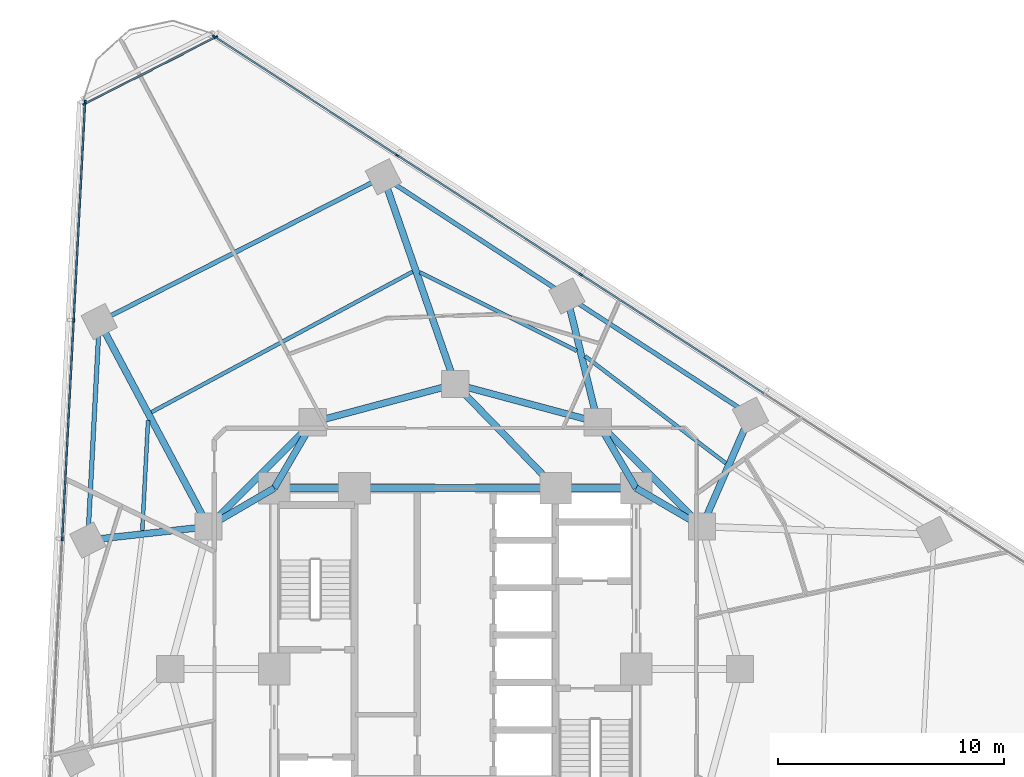
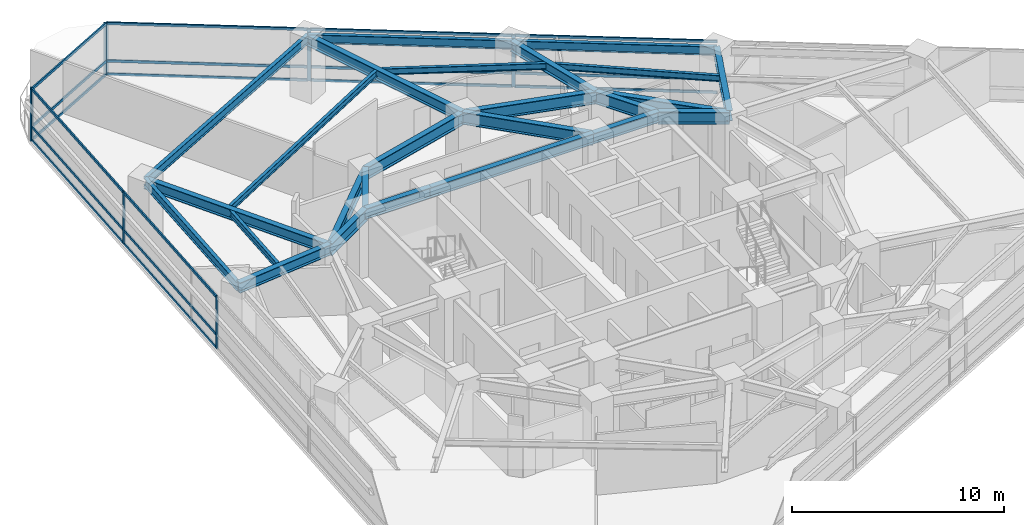
# One storey, part 5 of 14: 26 members, 25 beams, 3 elements without a shape of their own.
"""IFC4 building model written with IfcOpenShell, lengths in metres."""

from ifc_helpers import new_model, si_unit, direction, frame, origin, origin_2d, place, context, subcontext, project, spatial, rectangle, i_section, extrude, material, layer, layer_set, material_profile, profile_set, type_object, element, aggregate, save


model = new_model("IFC4")

# Units and contexts
model_context = context("Model", 3, precision=1e-05, world=origin(), true_north=direction((0.0, 1.0)))
body_context = subcontext(model_context, "Body", "Model", "MODEL_VIEW")
ifc_project = project(units=[si_unit("LENGTHUNIT", "METRE"), si_unit("AREAUNIT", "SQUARE_METRE"), si_unit("VOLUMEUNIT", "CUBIC_METRE"), si_unit("PLANEANGLEUNIT", "RADIAN"), si_unit("MASSUNIT", "GRAM", prefix="KILO")], contexts=[model_context])

# Site, building, storey
site_placement = place(None, origin())
site = spatial("IfcSite", under=ifc_project, at=site_placement, CompositionType="ELEMENT")
building_placement = place(site_placement, origin())
building = spatial("IfcBuilding", under=site, at=building_placement, Name="Terralouvre Media Tower", CompositionType="ELEMENT")
storey_placement = place(building_placement, frame((0.0, 0.0, 142.10009765625)))
storey = spatial("IfcBuildingStorey", under=building, at=storey_placement, Name="L36", CompositionType="ELEMENT", Elevation=142.10009765625)

# Beams
ifc_material_1 = material(Name="Structural steel S355J2", Category="steel")
ifc_material_profile_1 = material_profile(ifc_material_1, i_section(OverallWidth=0.169921875, OverallDepth=0.360107421875, WebThickness=0.008056640625, FlangeThickness=0.0126953125, at=origin_2d()), Name="IPE 360")
ifc_profile_set_1 = profile_set([ifc_material_profile_1], Name="Structural steel S355J2")
beam_type_1 = type_object("IfcBeamType", Name="Composite Floor Joist J-IPE360 (IPE 360)", PredefinedType="JOIST", material=ifc_profile_set_1)
beam_1_placement = place(storey_placement, frame((11.970703125, 9.098388671875, 3.31982421875), z_axis=(-0.795913950382, 0.605409765024, 0.0), x_axis=(-0.605409765024, -0.795913950382, 0.0)))
element("IfcBeam", 1, at=beam_1_placement, inside=storey, type_object=beam_type_1, Name="L36 Framing Beam JT-L36-08", PredefinedType="JOIST", context=body_context, shape_type="SweptSolid", body=[
    extrude(i_section(OverallWidth=0.169921875, OverallDepth=0.360107421875, WebThickness=0.008056640625, FlangeThickness=0.0126953125, at=origin_2d()), origin(), (0.0, 0.0, 1.0), 7.8291015625),
])
beam_2_placement = place(storey_placement, frame((5.37744140625, 14.068603515625, 3.31982421875), z_axis=(-0.893973577097, 0.448119675368, 0.0), x_axis=(-0.448119675368, -0.893973577097, 0.0)))
element("IfcBeam", 2, at=beam_2_placement, inside=storey, type_object=beam_type_1, Name="L36 Framing Beam JT-L36-09", PredefinedType="JOIST", context=body_context, shape_type="SweptSolid", body=[
    extrude(i_section(OverallWidth=0.169921875, OverallDepth=0.360107421875, WebThickness=0.008056640625, FlangeThickness=0.0126953125, at=origin_2d()), origin(), (0.0, 0.0, 1.0), 7.758056640625),
])
beam_3_placement = place(storey_placement, frame((-1.880615234375, 17.569580078125, 3.31982421875), z_axis=(-0.880744642144, -0.473591464592, 0.0), x_axis=(0.473591464592, -0.880744642144, 0.0)))
element("IfcBeam", 3, at=beam_3_placement, inside=storey, type_object=beam_type_1, Name="L36 Framing Beam JT-L36-10", PredefinedType="JOIST", context=body_context, shape_type="SweptSolid", body=[
    extrude(i_section(OverallWidth=0.169921875, OverallDepth=0.360107421875, WebThickness=0.008056640625, FlangeThickness=0.0126953125, at=origin_2d()), origin(), (0.0, 0.0, 1.0), 13.11865234375),
])
beam_4_placement = place(storey_placement, frame((-13.58203125, 10.9970703125, 3.31982421875), z_axis=(-0.052377831518, -0.998627339284, 0.0), x_axis=(0.998627339284, -0.052377831518, 0.0)))
element("IfcBeam", 4, at=beam_4_placement, inside=storey, type_object=beam_type_1, Name="L36 Framing Beam JT-L36-11", PredefinedType="JOIST", context=body_context, shape_type="SweptSolid", body=[
    extrude(i_section(OverallWidth=0.169921875, OverallDepth=0.360107421875, WebThickness=0.008056640625, FlangeThickness=0.0126953125, at=origin_2d()), origin(), (0.0, 0.0, 1.0), 4.884765625),
])

# Curtain wall, members
ifc_material_2 = material(Name="Low-iron laminated double glazing with solar-control coating", Category="glass")
ifc_layer_1 = layer(ifc_material_2, 0.1650390625, Name="Production Studio Tower Curtain Wall CW-03")
ifc_layer_set_1 = layer_set([ifc_layer_1], Name="Low-iron laminated double glazing with solar-control coating")
curtain_wall_type_1 = type_object("IfcCurtainWallType", Name="Production Studio Tower Curtain Wall CW-03", PredefinedType="NOTDEFINED", material=ifc_layer_set_1)
curtain_wall_1_placement = place(storey_placement, origin())
curtain_wall_1 = element("IfcCurtainWall", 5, at=curtain_wall_1_placement, inside=storey, type_object=curtain_wall_type_1, Name="L36 Facade Curtain Wall F1", PredefinedType="NOTDEFINED")
ifc_material_3 = material(Name="Anodised extruded aluminium 6063-T6", Category="aluminium")
ifc_material_profile_2 = material_profile(ifc_material_3, rectangle(XDim=0.074951171875, YDim=0.14990234375, at=origin_2d()), Name="ALU 75x150")
ifc_profile_set_2 = profile_set([ifc_material_profile_2], Name="Anodised extruded aluminium 6063-T6")
member_type_1 = type_object("IfcMemberType", Name="Curtain-Wall Horizontal Transom TR-150", PredefinedType="USERDEFINED", material=ifc_profile_set_2)
member_1_placement = place(storey_placement, frame((13.6416015625, 12.1884765625, 0.037353515625), z_axis=(-0.838672931076, 0.544635396095, 0.0), x_axis=(-0.544635396095, -0.838672931076, 0.0)))
member_1 = element("IfcMember", 6, at=member_1_placement, type_object=member_type_1, Name="CW-03 transom 3.1", ObjectType="TRANSOM", PredefinedType="USERDEFINED", context=body_context, shape_type="SweptSolid", body=[
    extrude(rectangle(XDim=0.074951171875, YDim=0.14990234375, at=origin_2d()), origin(), (0.0, 0.0, 1.0), 9.60498046875),
])
member_2_placement = place(storey_placement, frame((13.6416015625, 12.1884765625, 0.7998046875), z_axis=(-0.838672931076, 0.544635396095, 0.0), x_axis=(-0.544635396095, -0.838672931076, 0.0)))
member_2 = element("IfcMember", 7, at=member_2_placement, type_object=member_type_1, Name="CW-03 transom 3.2", ObjectType="TRANSOM", PredefinedType="USERDEFINED", context=body_context, shape_type="SweptSolid", body=[
    extrude(rectangle(XDim=0.074951171875, YDim=0.14990234375, at=origin_2d()), origin(), (0.0, 0.0, 1.0), 9.60498046875),
])
member_3_placement = place(storey_placement, frame((13.6416015625, 12.1884765625, 2.96240234375), z_axis=(-0.838672931076, 0.544635396095, 0.0), x_axis=(-0.544635396095, -0.838672931076, 0.0)))
member_3 = element("IfcMember", 8, at=member_3_placement, type_object=member_type_1, Name="CW-03 transom 3.3", ObjectType="TRANSOM", PredefinedType="USERDEFINED", context=body_context, shape_type="SweptSolid", body=[
    extrude(rectangle(XDim=0.074951171875, YDim=0.14990234375, at=origin_2d()), origin(), (0.0, 0.0, 1.0), 9.60498046875),
])
member_4_placement = place(storey_placement, frame((5.523193359375, 17.460693359375, 0.037353515625), z_axis=(-0.838672931076, 0.544635396095, 0.0), x_axis=(-0.544635396095, -0.838672931076, 0.0)))
member_4 = element("IfcMember", 9, at=member_4_placement, type_object=member_type_1, Name="CW-03 transom 4.1", ObjectType="TRANSOM", PredefinedType="USERDEFINED", context=body_context, shape_type="SweptSolid", body=[
    extrude(rectangle(XDim=0.074951171875, YDim=0.14990234375, at=origin_2d()), origin(), (0.0, 0.0, 1.0), 9.60498046875),
])
member_5_placement = place(storey_placement, frame((5.523193359375, 17.460693359375, 0.7998046875), z_axis=(-0.838672931076, 0.544635396095, 0.0), x_axis=(-0.544635396095, -0.838672931076, 0.0)))
member_5 = element("IfcMember", 10, at=member_5_placement, type_object=member_type_1, Name="CW-03 transom 4.2", ObjectType="TRANSOM", PredefinedType="USERDEFINED", context=body_context, shape_type="SweptSolid", body=[
    extrude(rectangle(XDim=0.074951171875, YDim=0.14990234375, at=origin_2d()), origin(), (0.0, 0.0, 1.0), 9.60498046875),
])
member_6_placement = place(storey_placement, frame((5.523193359375, 17.460693359375, 2.96240234375), z_axis=(-0.838672931076, 0.544635396095, 0.0), x_axis=(-0.544635396095, -0.838672931076, 0.0)))
member_6 = element("IfcMember", 11, at=member_6_placement, type_object=member_type_1, Name="CW-03 transom 4.3", ObjectType="TRANSOM", PredefinedType="USERDEFINED", context=body_context, shape_type="SweptSolid", body=[
    extrude(rectangle(XDim=0.074951171875, YDim=0.14990234375, at=origin_2d()), origin(), (0.0, 0.0, 1.0), 9.60498046875),
])
member_7_placement = place(storey_placement, frame((-2.594970703125, 22.732666015625, 0.037353515625), z_axis=(-0.838671492993, 0.544637610565, 0.0), x_axis=(-0.544637610565, -0.838671492993, 0.0)))
member_7 = element("IfcMember", 12, at=member_7_placement, type_object=member_type_1, Name="CW-03 transom 5.1", ObjectType="TRANSOM", PredefinedType="USERDEFINED", context=body_context, shape_type="SweptSolid", body=[
    extrude(rectangle(XDim=0.074951171875, YDim=0.14990234375, at=origin_2d()), origin(), (0.0, 0.0, 1.0), 9.567626953125),
])
member_8_placement = place(storey_placement, frame((-2.594970703125, 22.732666015625, 0.7998046875), z_axis=(-0.838671492993, 0.544637610565, 0.0), x_axis=(-0.544637610565, -0.838671492993, 0.0)))
member_8 = element("IfcMember", 13, at=member_8_placement, type_object=member_type_1, Name="CW-03 transom 5.2", ObjectType="TRANSOM", PredefinedType="USERDEFINED", context=body_context, shape_type="SweptSolid", body=[
    extrude(rectangle(XDim=0.074951171875, YDim=0.14990234375, at=origin_2d()), origin(), (0.0, 0.0, 1.0), 9.567626953125),
])
member_9_placement = place(storey_placement, frame((-2.594970703125, 22.732666015625, 2.96240234375), z_axis=(-0.838671492993, 0.544637610565, 0.0), x_axis=(-0.544637610565, -0.838671492993, 0.0)))
member_9 = element("IfcMember", 14, at=member_9_placement, type_object=member_type_1, Name="CW-03 transom 5.3", ObjectType="TRANSOM", PredefinedType="USERDEFINED", context=body_context, shape_type="SweptSolid", body=[
    extrude(rectangle(XDim=0.074951171875, YDim=0.14990234375, at=origin_2d()), origin(), (0.0, 0.0, 1.0), 9.567626953125),
])

curtain_wall_2_placement = place(storey_placement, origin())
curtain_wall_2 = element("IfcCurtainWall", 15, at=curtain_wall_2_placement, inside=storey, type_object=curtain_wall_type_1, Name="L36 Facade Curtain Wall F2", PredefinedType="NOTDEFINED")
member_10_placement = place(storey_placement, frame((-16.364990234375, 25.015869140625, 0.037353515625), z_axis=(-0.052336504837, -0.998629506004, 0.0), x_axis=(0.998629506004, -0.052336504837, 0.0)))
member_10 = element("IfcMember", 16, at=member_10_placement, type_object=member_type_1, Name="CW-03 transom 1.1", ObjectType="TRANSOM", PredefinedType="USERDEFINED", context=body_context, shape_type="SweptSolid", body=[
    extrude(rectangle(XDim=0.074951171875, YDim=0.14990234375, at=origin_2d()), origin(), (0.0, 0.0, 1.0), 9.567626953125),
])
member_11_placement = place(storey_placement, frame((-16.364990234375, 25.015869140625, 0.7998046875), z_axis=(-0.052336504837, -0.998629506004, 0.0), x_axis=(0.998629506004, -0.052336504837, 0.0)))
member_11 = element("IfcMember", 17, at=member_11_placement, type_object=member_type_1, Name="CW-03 transom 1.2", ObjectType="TRANSOM", PredefinedType="USERDEFINED", context=body_context, shape_type="SweptSolid", body=[
    extrude(rectangle(XDim=0.074951171875, YDim=0.14990234375, at=origin_2d()), origin(), (0.0, 0.0, 1.0), 9.567626953125),
])
member_12_placement = place(storey_placement, frame((-16.364990234375, 25.015869140625, 2.96240234375), z_axis=(-0.052336504837, -0.998629506004, 0.0), x_axis=(0.998629506004, -0.052336504837, 0.0)))
member_12 = element("IfcMember", 18, at=member_12_placement, type_object=member_type_1, Name="CW-03 transom 1.3", ObjectType="TRANSOM", PredefinedType="USERDEFINED", context=body_context, shape_type="SweptSolid", body=[
    extrude(rectangle(XDim=0.074951171875, YDim=0.14990234375, at=origin_2d()), origin(), (0.0, 0.0, 1.0), 9.567626953125),
])
member_13_placement = place(storey_placement, frame((-16.86962890625, 15.386474609375, 0.037353515625), z_axis=(-0.052336036535, -0.998629530547, 0.0), x_axis=(0.998629530547, -0.052336036535, 0.0)))
member_13 = element("IfcMember", 19, at=member_13_placement, type_object=member_type_1, Name="CW-03 transom 2.1", ObjectType="TRANSOM", PredefinedType="USERDEFINED", context=body_context, shape_type="SweptSolid", body=[
    extrude(rectangle(XDim=0.074951171875, YDim=0.14990234375, at=origin_2d()), origin(), (0.0, 0.0, 1.0), 9.60498046875),
])
member_14_placement = place(storey_placement, frame((-16.86962890625, 15.386474609375, 0.7998046875), z_axis=(-0.052336036535, -0.998629530547, 0.0), x_axis=(0.998629530547, -0.052336036535, 0.0)))
member_14 = element("IfcMember", 20, at=member_14_placement, type_object=member_type_1, Name="CW-03 transom 2.2", ObjectType="TRANSOM", PredefinedType="USERDEFINED", context=body_context, shape_type="SweptSolid", body=[
    extrude(rectangle(XDim=0.074951171875, YDim=0.14990234375, at=origin_2d()), origin(), (0.0, 0.0, 1.0), 9.60498046875),
])
member_15_placement = place(storey_placement, frame((-16.86962890625, 15.386474609375, 2.96240234375), z_axis=(-0.052336036535, -0.998629530547, 0.0), x_axis=(0.998629530547, -0.052336036535, 0.0)))
member_15 = element("IfcMember", 21, at=member_15_placement, type_object=member_type_1, Name="CW-03 transom 2.3", ObjectType="TRANSOM", PredefinedType="USERDEFINED", context=body_context, shape_type="SweptSolid", body=[
    extrude(rectangle(XDim=0.074951171875, YDim=0.14990234375, at=origin_2d()), origin(), (0.0, 0.0, 1.0), 9.60498046875),
])

ifc_material_4 = material(Name="Low-iron laminated double glazing with solar-control coating", Category="glass")
ifc_layer_2 = layer(ifc_material_4, 0.1650390625, Name="Rounded Wind-Corner Curved Glazing CW-04")
ifc_layer_set_2 = layer_set([ifc_layer_2], Name="Low-iron laminated double glazing with solar-control coating")
curtain_wall_type_2 = type_object("IfcCurtainWallType", Name="Rounded Wind-Corner Curved Glazing CW-04", PredefinedType="NOTDEFINED", material=ifc_layer_set_2)
curtain_wall_3_placement = place(storey_placement, origin())
curtain_wall_3 = element("IfcCurtainWall", 22, at=curtain_wall_3_placement, inside=storey, type_object=curtain_wall_type_2, Name="L36 Rounded Wind-Corner Curtain Wall C2", PredefinedType="NOTDEFINED")
member_16_placement = place(storey_placement, frame((-10.619873046875, 27.92626953125, 0.037353515625), z_axis=(-0.891007919555, -0.453987761167, 0.0), x_axis=(0.453987761167, -0.891007919555, 0.0)))
member_16 = element("IfcMember", 23, at=member_16_placement, type_object=member_type_1, Name="CW-04 transom 1.1", ObjectType="TRANSOM", PredefinedType="USERDEFINED", context=body_context, shape_type="SweptSolid", body=[
    extrude(rectangle(XDim=0.074951171875, YDim=0.14990234375, at=origin_2d()), origin(), (0.0, 0.0, 1.0), 6.431640625),
])
member_17_placement = place(storey_placement, frame((-10.619873046875, 27.92626953125, 0.7998046875), z_axis=(-0.891007919555, -0.453987761167, 0.0), x_axis=(0.453987761167, -0.891007919555, 0.0)))
member_17 = element("IfcMember", 24, at=member_17_placement, type_object=member_type_1, Name="CW-04 transom 1.2", ObjectType="TRANSOM", PredefinedType="USERDEFINED", context=body_context, shape_type="SweptSolid", body=[
    extrude(rectangle(XDim=0.074951171875, YDim=0.14990234375, at=origin_2d()), origin(), (0.0, 0.0, 1.0), 6.431640625),
])
member_18_placement = place(storey_placement, frame((-10.619873046875, 27.92626953125, 2.96240234375), z_axis=(-0.891007919555, -0.453987761167, 0.0), x_axis=(0.453987761167, -0.891007919555, 0.0)))
member_18 = element("IfcMember", 25, at=member_18_placement, type_object=member_type_1, Name="CW-04 transom 1.3", ObjectType="TRANSOM", PredefinedType="USERDEFINED", context=body_context, shape_type="SweptSolid", body=[
    extrude(rectangle(XDim=0.074951171875, YDim=0.14990234375, at=origin_2d()), origin(), (0.0, 0.0, 1.0), 6.431640625),
])

# Member
ifc_material_5 = material(Name="Anodised extruded aluminium 6063-T6", Category="aluminium")
ifc_material_profile_3 = material_profile(ifc_material_5, rectangle(XDim=0.074951171875, YDim=0.179931640625, at=origin_2d()), Name="ALU 75x180")
ifc_profile_set_3 = profile_set([ifc_material_profile_3], Name="Anodised extruded aluminium 6063-T6")
member_type_2 = type_object("IfcMemberType", Name="Curtain-Wall Vertical Mullion ML-180", PredefinedType="MULLION", material=ifc_profile_set_3)
member_19_placement = place(storey_placement, frame((5.5546875, 17.440185546875, 0.0), z_axis=(0.0, 0.0, 1.0), x_axis=(-0.544639002681, -0.838670588944, 0.0)))
member_19 = element("IfcMember", 26, at=member_19_placement, type_object=member_type_2, Name="CW-03 mullion 4", PredefinedType="MULLION", context=body_context, shape_type="SweptSolid", body=[
    extrude(rectangle(XDim=0.074951171875, YDim=0.179931640625, at=origin_2d()), origin(), (0.0, 0.0, 1.0), 3.0),
])

member_20_placement = place(storey_placement, frame((-2.5634765625, 22.712158203125, 0.0), z_axis=(0.0, 0.0, 1.0), x_axis=(-0.544639002681, -0.838670588944, 0.0)))
member_20 = element("IfcMember", 27, at=member_20_placement, type_object=member_type_2, Name="CW-03 mullion 5", PredefinedType="MULLION", context=body_context, shape_type="SweptSolid", body=[
    extrude(rectangle(XDim=0.074951171875, YDim=0.179931640625, at=origin_2d()), origin(), (0.0, 0.0, 1.0), 3.0),
])

member_21_placement = place(storey_placement, frame((-10.650390625, 27.9638671875, 0.0), z_axis=(0.0, 0.0, 1.0), x_axis=(-0.544639002681, -0.838670588944, 0.0)))
member_21 = element("IfcMember", 28, at=member_21_placement, type_object=member_type_2, Name="CW-03 mullion 6", PredefinedType="MULLION", context=body_context, shape_type="SweptSolid", body=[
    extrude(rectangle(XDim=0.074951171875, YDim=0.179931640625, at=origin_2d()), origin(), (0.0, 0.0, 1.0), 3.0),
])

aggregate(curtain_wall_1, [member_19, member_20, member_21, member_1, member_2, member_3, member_4, member_5, member_6, member_7, member_8, member_9])

member_22_placement = place(storey_placement, frame((-16.363037109375, 25.05322265625, 0.0), z_axis=(0.0, 0.0, 1.0), x_axis=(0.998629535089, -0.052335949864, 0.0)))
member_22 = element("IfcMember", 29, at=member_22_placement, type_object=member_type_2, Name="CW-03 mullion 1", PredefinedType="MULLION", context=body_context, shape_type="SweptSolid", body=[
    extrude(rectangle(XDim=0.074951171875, YDim=0.179931640625, at=origin_2d()), origin(), (0.0, 0.0, 1.0), 3.0),
])

member_23_placement = place(storey_placement, frame((-16.86767578125, 15.423828125, 0.0), z_axis=(0.0, 0.0, 1.0), x_axis=(0.998629535089, -0.052335949864, 0.0)))
member_23 = element("IfcMember", 30, at=member_23_placement, type_object=member_type_2, Name="CW-03 mullion 2", PredefinedType="MULLION", context=body_context, shape_type="SweptSolid", body=[
    extrude(rectangle(XDim=0.074951171875, YDim=0.179931640625, at=origin_2d()), origin(), (0.0, 0.0, 1.0), 3.0),
])

member_24_placement = place(storey_placement, frame((-17.374267578125, 5.757080078125, 0.0), z_axis=(0.0, 0.0, 1.0), x_axis=(0.998629535089, -0.052335949864, 0.0)))
member_24 = element("IfcMember", 31, at=member_24_placement, type_object=member_type_2, Name="CW-03 mullion 3", PredefinedType="MULLION", context=body_context, shape_type="SweptSolid", body=[
    extrude(rectangle(XDim=0.074951171875, YDim=0.179931640625, at=origin_2d()), origin(), (0.0, 0.0, 1.0), 3.0),
])

aggregate(curtain_wall_2, [member_22, member_23, member_24, member_10, member_11, member_12, member_13, member_14, member_15])

member_25_placement = place(storey_placement, frame((-10.58642578125, 27.943359375, 0.0), z_axis=(0.0, 0.0, 1.0), x_axis=(0.45399035059, -0.891006600184, 0.0)))
member_25 = element("IfcMember", 32, at=member_25_placement, type_object=member_type_2, Name="CW-04 mullion 1", PredefinedType="MULLION", context=body_context, shape_type="SweptSolid", body=[
    extrude(rectangle(XDim=0.074951171875, YDim=0.179931640625, at=origin_2d()), origin(), (0.0, 0.0, 1.0), 3.0),
])

member_26_placement = place(storey_placement, frame((-16.384033203125, 24.9892578125, 0.0), z_axis=(0.0, 0.0, 1.0), x_axis=(0.45399035059, -0.891006600184, 0.0)))
member_26 = element("IfcMember", 33, at=member_26_placement, type_object=member_type_2, Name="CW-04 mullion 2", PredefinedType="MULLION", context=body_context, shape_type="SweptSolid", body=[
    extrude(rectangle(XDim=0.074951171875, YDim=0.179931640625, at=origin_2d()), origin(), (0.0, 0.0, 1.0), 3.0),
])

aggregate(curtain_wall_3, [member_25, member_26, member_16, member_17, member_18])

# Beams
ifc_material_6 = material(Name="Structural steel S355J2", Category="steel")
ifc_material_profile_4 = material_profile(ifc_material_6, i_section(OverallWidth=0.199951171875, OverallDepth=0.5, WebThickness=0.01025390625, FlangeThickness=0.01611328125, at=origin_2d()), Name="IPE 500")
ifc_profile_set_4 = profile_set([ifc_material_profile_4], Name="Structural steel S355J2")
beam_type_2 = type_object("IfcBeamType", Name="Perimeter Spandrel Beam SPB-500 (IPE 500)", PredefinedType="SPANDREL", material=ifc_profile_set_4)
for number, where, z_axis, x_axis, name in (
    (34, (13.0576171875, 11.220458984375, 3.25), (-0.838679216118, 0.544625717765, 0.0), (-0.544625717765, -0.838679216118, 0.0), "L36 Framing Beam BM-L36-PR08"),
    (35, (4.939208984375, 16.492431640625, 3.25), (-0.838660214263, 0.544654977956, 0.0), (-0.544654977956, -0.838660214263, 0.0), "L36 Framing Beam BM-L36-PR09"),
):
    element("IfcBeam", number, at=place(storey_placement, frame(where, z_axis=z_axis, x_axis=x_axis)), inside=storey, type_object=beam_type_2, Name=name, PredefinedType="SPANDREL", context=body_context, shape_type="SweptSolid", body=[
        extrude(i_section(OverallWidth=0.199951171875, OverallDepth=0.5, WebThickness=0.01025390625, FlangeThickness=0.01611328125, at=origin_2d()), origin(), (0.0, 0.0, 1.0), 9.679931640625),
    ])
beam_5_placement = place(storey_placement, frame((-3.178955078125, 21.7646484375, 3.25), z_axis=(-0.891003412269, -0.453996607173, 0.0), x_axis=(0.453996607173, -0.891003412269, 0.0)))
element("IfcBeam", 36, at=beam_5_placement, inside=storey, type_object=beam_type_2, Name="L36 Framing Beam BM-L36-PR10", PredefinedType="SPANDREL", context=body_context, shape_type="SweptSolid", body=[
    extrude(i_section(OverallWidth=0.199951171875, OverallDepth=0.5, WebThickness=0.01025390625, FlangeThickness=0.01611328125, at=origin_2d()), origin(), (0.0, 0.0, 1.0), 14.096923828125),
])
beam_6_placement = place(storey_placement, frame((-15.7392578125, 15.36474609375, 3.25), z_axis=(-0.052333792648, -0.998629648141, 0.0), x_axis=(0.998629648141, -0.052333792648, 0.0)))
element("IfcBeam", 37, at=beam_6_placement, inside=storey, type_object=beam_type_2, Name="L36 Framing Beam BM-L36-PR11", PredefinedType="SPANDREL", context=body_context, shape_type="SweptSolid", body=[
    extrude(i_section(OverallWidth=0.199951171875, OverallDepth=0.5, WebThickness=0.01025390625, FlangeThickness=0.01611328125, at=origin_2d()), origin(), (0.0, 0.0, 1.0), 9.679931640625),
])
ifc_material_7 = material(Name="Structural steel S460M", Category="steel")
ifc_material_profile_5 = material_profile(ifc_material_7, i_section(OverallWidth=0.300048828125, OverallDepth=0.60009765625, WebThickness=0.015380859375, FlangeThickness=0.030029296875, at=origin_2d()), Name="HEB 600")
ifc_profile_set_5 = profile_set([ifc_material_profile_5], Name="Structural steel S460M")
beam_type_3 = type_object("IfcBeamType", Name="Primary Floor Girder B-HEB600 (HEB 600)", PredefinedType="BEAM", material=ifc_profile_set_5)
beam_7_placement = place(storey_placement, frame((8.0, 8.0, 3.199951171875), z_axis=(-1.0, 0.0, 0.0), x_axis=(0.0, -1.0, 0.0)))
element("IfcBeam", 38, at=beam_7_placement, inside=storey, type_object=beam_type_3, Name="L36 Framing Beam BM-L36-CPR06", PredefinedType="BEAM", context=body_context, shape_type="SweptSolid", body=[
    extrude(i_section(OverallWidth=0.300048828125, OverallDepth=0.60009765625, WebThickness=0.015380859375, FlangeThickness=0.030029296875, at=origin_2d()), origin(), (0.0, 0.0, 1.0), 3.550048828125),
])
beam_8_placement = place(storey_placement, frame((4.449951171875, 8.0, 3.199951171875), z_axis=(-1.0, 0.0, 0.0), x_axis=(0.0, -1.0, 0.0)))
element("IfcBeam", 39, at=beam_8_placement, inside=storey, type_object=beam_type_3, Name="L36 Framing Beam BM-L36-CPR07", PredefinedType="BEAM", context=body_context, shape_type="SweptSolid", body=[
    extrude(i_section(OverallWidth=0.300048828125, OverallDepth=0.60009765625, WebThickness=0.015380859375, FlangeThickness=0.030029296875, at=origin_2d()), origin(), (0.0, 0.0, 1.0), 8.89990234375),
])
beam_9_placement = place(storey_placement, frame((-4.449951171875, 8.0, 3.199951171875), z_axis=(-1.0, 0.0, 0.0), x_axis=(0.0, -1.0, 0.0)))
element("IfcBeam", 40, at=beam_9_placement, inside=storey, type_object=beam_type_3, Name="L36 Framing Beam BM-L36-CPR08", PredefinedType="BEAM", context=body_context, shape_type="SweptSolid", body=[
    extrude(i_section(OverallWidth=0.300048828125, OverallDepth=0.60009765625, WebThickness=0.015380859375, FlangeThickness=0.030029296875, at=origin_2d()), origin(), (0.0, 0.0, 1.0), 3.550048828125),
])
beam_10_placement = place(storey_placement, frame((10.911865234375, 6.300048828125, 3.199951171875), z_axis=(0.39973535277, 0.916630595031, 0.0), x_axis=(-0.916630595031, 0.39973535277, 0.0)))
element("IfcBeam", 41, at=beam_10_placement, inside=storey, type_object=beam_type_3, Name="L36 Framing Beam BM-L36-RD08", PredefinedType="BEAM", context=body_context, shape_type="SweptSolid", body=[
    extrude(i_section(OverallWidth=0.300048828125, OverallDepth=0.60009765625, WebThickness=0.015380859375, FlangeThickness=0.030029296875, at=origin_2d()), origin(), (0.0, 0.0, 1.0), 5.367919921875),
])
beam_11_placement = place(storey_placement, frame((6.300048828125, 10.911865234375, 3.199951171875), z_axis=(-0.23691117125, 0.971531315469, 0.0), x_axis=(-0.971531315469, -0.23691117125, 0.0)))
element("IfcBeam", 42, at=beam_11_placement, inside=storey, type_object=beam_type_3, Name="L36 Framing Beam BM-L36-RD09", PredefinedType="BEAM", context=body_context, shape_type="SweptSolid", body=[
    extrude(i_section(OverallWidth=0.300048828125, OverallDepth=0.60009765625, WebThickness=0.015380859375, FlangeThickness=0.030029296875, at=origin_2d()), origin(), (0.0, 0.0, 1.0), 5.744140625),
])
beam_12_placement = place(storey_placement, frame((0.0, 12.60009765625, 3.199951171875), z_axis=(-0.327719061781, 0.944775220116, 0.0), x_axis=(-0.944775220116, -0.327719061781, 0.0)))
element("IfcBeam", 43, at=beam_12_placement, inside=storey, type_object=beam_type_3, Name="L36 Framing Beam BM-L36-RD10", PredefinedType="BEAM", context=body_context, shape_type="SweptSolid", body=[
    extrude(i_section(OverallWidth=0.300048828125, OverallDepth=0.60009765625, WebThickness=0.015380859375, FlangeThickness=0.030029296875, at=origin_2d()), origin(), (0.0, 0.0, 1.0), 9.7001953125),
])
beam_13_placement = place(storey_placement, frame((-10.911865234375, 6.300048828125, 3.199951171875), z_axis=(-0.470048953024, 0.882640346778, 0.0), x_axis=(-0.882640346778, -0.470048953024, 0.0)))
element("IfcBeam", 44, at=beam_13_placement, inside=storey, type_object=beam_type_3, Name="L36 Framing Beam BM-L36-RD11", PredefinedType="BEAM", context=body_context, shape_type="SweptSolid", body=[
    extrude(i_section(OverallWidth=0.300048828125, OverallDepth=0.60009765625, WebThickness=0.015380859375, FlangeThickness=0.030029296875, at=origin_2d()), origin(), (0.0, 0.0, 1.0), 10.27001953125),
])
beam_14_placement = place(storey_placement, frame((-10.911865234375, 6.300048828125, 3.199951171875), z_axis=(-0.993690322099, -0.112158565283, 0.0), x_axis=(0.112158565283, -0.993690322099, 0.0)))
element("IfcBeam", 45, at=beam_14_placement, inside=storey, type_object=beam_type_3, Name="L36 Framing Beam BM-L36-RD12", PredefinedType="BEAM", context=body_context, shape_type="SweptSolid", body=[
    extrude(i_section(OverallWidth=0.300048828125, OverallDepth=0.60009765625, WebThickness=0.015380859375, FlangeThickness=0.030029296875, at=origin_2d()), origin(), (0.0, 0.0, 1.0), 5.367919921875),
])
ifc_material_8 = material(Name="Structural steel S460M", Category="steel")
ifc_material_profile_6 = material_profile(ifc_material_8, i_section(OverallWidth=0.300048828125, OverallDepth=0.699951171875, WebThickness=0.01708984375, FlangeThickness=0.031982421875, at=origin_2d()), Name="HEB 700")
ifc_profile_set_6 = profile_set([ifc_material_profile_6], Name="Structural steel S460M")
beam_type_4 = type_object("IfcBeamType", Name="Primary Floor Girder B-HEB700 (HEB 700)", PredefinedType="BEAM", material=ifc_profile_set_6)
beam_15_placement = place(storey_placement, frame((10.911865234375, 6.300048828125, 3.14990234375), z_axis=(-0.707106781187, 0.707106781187, 0.0), x_axis=(-0.707106781187, -0.707106781187, 0.0)))
element("IfcBeam", 46, at=beam_15_placement, inside=storey, type_object=beam_type_4, Name="L36 Framing Beam BM-L36-MR07", PredefinedType="BEAM", context=body_context, shape_type="SweptSolid", body=[
    extrude(i_section(OverallWidth=0.300048828125, OverallDepth=0.699951171875, WebThickness=0.01708984375, FlangeThickness=0.031982421875, at=origin_2d()), origin(), (0.0, 0.0, 1.0), 6.52197265625),
])
for number, where, z_axis, x_axis, name in (
    (47, (6.300048828125, 10.911865234375, 3.14990234375), (-0.965920481897, 0.258838989821, 0.0), (-0.258838989821, -0.965920481897, 0.0), "L36 Framing Beam BM-L36-MR08"),
    (48, (0.0, 12.60009765625, 3.14990234375), (-0.965920481897, -0.258838989821, 0.0), (0.258838989821, -0.965920481897, 0.0), "L36 Framing Beam BM-L36-MR09"),
):
    element("IfcBeam", number, at=place(storey_placement, frame(where, z_axis=z_axis, x_axis=x_axis)), inside=storey, type_object=beam_type_4, Name=name, PredefinedType="BEAM", context=body_context, shape_type="SweptSolid", body=[
        extrude(i_section(OverallWidth=0.300048828125, OverallDepth=0.699951171875, WebThickness=0.01708984375, FlangeThickness=0.031982421875, at=origin_2d()), origin(), (0.0, 0.0, 1.0), 6.522216796875),
    ])
beam_16_placement = place(storey_placement, frame((-6.300048828125, 10.911865234375, 3.14990234375), z_axis=(-0.707106781187, -0.707106781187, 0.0), x_axis=(0.707106781187, -0.707106781187, 0.0)))
element("IfcBeam", 49, at=beam_16_placement, inside=storey, type_object=beam_type_4, Name="L36 Framing Beam BM-L36-MR10", PredefinedType="BEAM", context=body_context, shape_type="SweptSolid", body=[
    extrude(i_section(OverallWidth=0.300048828125, OverallDepth=0.699951171875, WebThickness=0.01708984375, FlangeThickness=0.031982421875, at=origin_2d()), origin(), (0.0, 0.0, 1.0), 6.52197265625),
])
for number, where, z_axis, x_axis, name in (
    (50, (8.0, 8.0, 3.14990234375), (0.863602894532, -0.504172629717, 0.0), (0.504172629717, 0.863602894532, 0.0), "L36 Framing Beam BM-L36-CM07"),
    (51, (8.0, 8.0, 3.14990234375), (-0.504172629717, 0.863602894532, 0.0), (-0.863602894532, -0.504172629717, 0.0), "L36 Framing Beam BM-L36-CM08"),
):
    element("IfcBeam", number, at=place(storey_placement, frame(where, z_axis=z_axis, x_axis=x_axis)), inside=storey, type_object=beam_type_4, Name=name, PredefinedType="BEAM", context=body_context, shape_type="SweptSolid", body=[
        extrude(i_section(OverallWidth=0.300048828125, OverallDepth=0.699951171875, WebThickness=0.01708984375, FlangeThickness=0.031982421875, at=origin_2d()), origin(), (0.0, 0.0, 1.0), 3.371826171875),
    ])
beam_17_placement = place(storey_placement, frame((4.449951171875, 8.0, 3.14990234375), z_axis=(-0.695279715726, 0.718739255155, 0.0), x_axis=(-0.718739255155, -0.695279715726, 0.0)))
element("IfcBeam", 52, at=beam_17_placement, inside=storey, type_object=beam_type_4, Name="L36 Framing Beam BM-L36-CM09", PredefinedType="BEAM", context=body_context, shape_type="SweptSolid", body=[
    extrude(i_section(OverallWidth=0.300048828125, OverallDepth=0.699951171875, WebThickness=0.01708984375, FlangeThickness=0.031982421875, at=origin_2d()), origin(), (0.0, 0.0, 1.0), 6.400146484375),
])
for number, where, z_axis, x_axis, name in (
    (53, (-8.0, 8.0, 3.14990234375), (0.504172629717, 0.863602894532, 0.0), (-0.863602894532, 0.504172629717, 0.0), "L36 Framing Beam BM-L36-CM10"),
    (54, (-8.0, 8.0, 3.14990234375), (-0.863602894532, -0.504172629717, 0.0), (0.504172629717, -0.863602894532, 0.0), "L36 Framing Beam BM-L36-CM11"),
):
    element("IfcBeam", number, at=place(storey_placement, frame(where, z_axis=z_axis, x_axis=x_axis)), inside=storey, type_object=beam_type_4, Name=name, PredefinedType="BEAM", context=body_context, shape_type="SweptSolid", body=[
        extrude(i_section(OverallWidth=0.300048828125, OverallDepth=0.699951171875, WebThickness=0.01708984375, FlangeThickness=0.031982421875, at=origin_2d()), origin(), (0.0, 0.0, 1.0), 3.371826171875),
    ])

save(model, "model.ifc")
